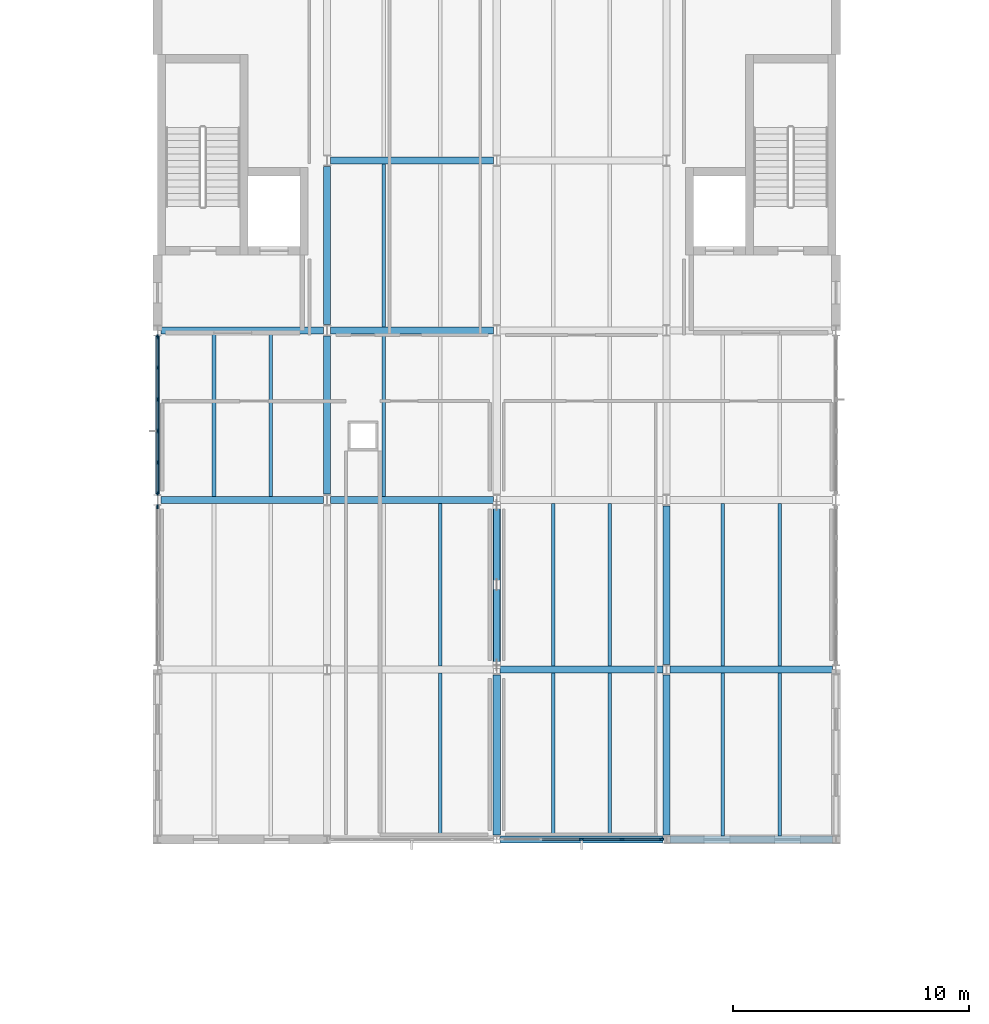
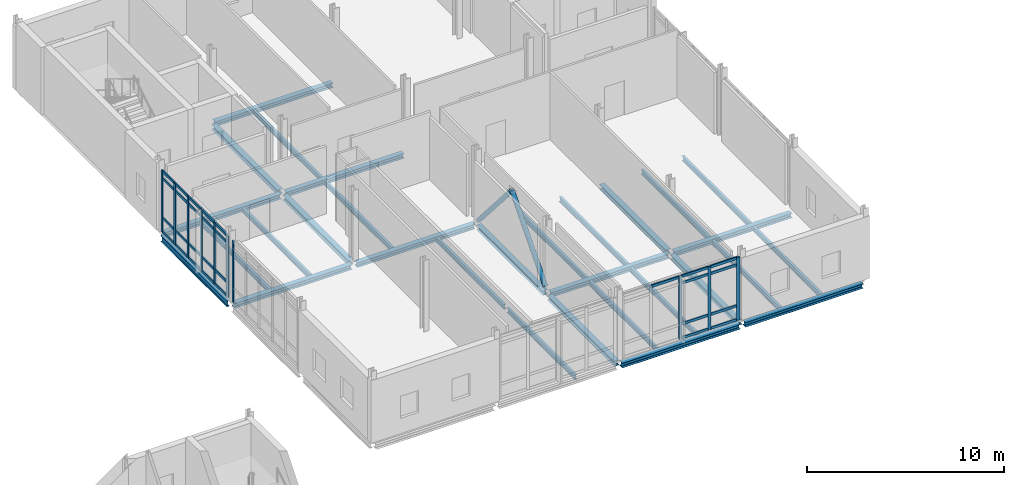
# One storey, part 28 of 76: 41 members, 30 beams, 3 elements without a shape of their own.
"""IFC4 building model written with IfcOpenShell, lengths in metres."""

import ifcopenshell
import ifcopenshell.guid

model = None  # the IFC model being written
_history = None  # IfcOwnerHistory: only IFC2X3 demands one
_inside = {}  # id of a spatial element -> (the spatial element, [elements in it])
_under = {}  # id of a project, library or spatial element -> (it, [spatial elements below it])
_declared = {}  # id of a project -> (the project, [libraries it declares])
_typed = {}  # id of a type object -> (the type object, [elements of that type])
_made_of = {}  # id of a material, layer set ... -> (it, [elements and type objects made of it])


def new_model(schema):
    """Start an empty IFC model of exactly this schema.

    Asked for "IFC4X3", IfcOpenShell would pick the latest addendum, in which some entities
    have other attributes; the version numbers below select the first issue.
    IFC2X3 requires an IfcOwnerHistory on every rooted entity: one is made here for all.
    """
    global model, _history
    if schema == "IFC4X3":
        model = ifcopenshell.file(schema_version=(4, 3, 0, 0))
    else:
        model = ifcopenshell.file(schema=schema)
    _inside.clear()
    _under.clear()
    _declared.clear()
    _typed.clear()
    _made_of.clear()
    _history = None
    if model.schema == "IFC2X3":
        org = make("IfcOrganization", Name="unknown")
        user = make(
            "IfcPersonAndOrganization",
            ThePerson=make("IfcPerson", FamilyName="unknown"),
            TheOrganization=org,
        )
        app = make(
            "IfcApplication",
            ApplicationDeveloper=org,
            Version="unknown",
            ApplicationFullName="unknown",
            ApplicationIdentifier="unknown",
        )
        _history = make(
            "IfcOwnerHistory",
            OwningUser=user,
            OwningApplication=app,
            ChangeAction="ADDED",
            CreationDate=0,
        )
    return model


def make(cls, **values):
    """One entity of the class cls with the attributes given. An attribute that is None is left unset."""
    return model.create_entity(
        cls, **{name: value for name, value in values.items() if value is not None}
    )


def rooted(cls, **values):
    """An entity with a GlobalId (a new one), such as an element, a storey or a relation."""
    return make(cls, GlobalId=ifcopenshell.guid.new(), OwnerHistory=_history, **values)


def si_unit(unit_type, name, prefix=None):
    """IfcSIUnit, for example si_unit("LENGTHUNIT", "METRE", prefix="MILLI")."""
    return make("IfcSIUnit", UnitType=unit_type, Prefix=prefix, Name=name)


def assignment(units):
    """IfcUnitAssignment: the units of a project."""
    return None if units is None else make("IfcUnitAssignment", Units=units)


def point(xyz):
    """IfcCartesianPoint."""
    return None if xyz is None else make("IfcCartesianPoint", Coordinates=xyz)


def direction(xyz):
    """IfcDirection."""
    return None if xyz is None else make("IfcDirection", DirectionRatios=xyz)


def frame(location, z_axis=None, x_axis=None):
    """IfcAxis2Placement3D, a coordinate frame: its origin and axes. An axis left out is left unset."""
    return make(
        "IfcAxis2Placement3D",
        Location=point(location),
        Axis=direction(z_axis),
        RefDirection=direction(x_axis),
    )


def frame_2d(location, x_axis=None):
    """IfcAxis2Placement2D, a coordinate frame in the plane: its origin and x axis."""
    return make(
        "IfcAxis2Placement2D", Location=point(location), RefDirection=direction(x_axis)
    )


def origin():
    """The frame at (0, 0, 0) with its axes left unset."""
    return frame((0.0, 0.0, 0.0))


def origin_2d():
    """The frame at (0, 0) in the plane with its x axis left unset."""
    return frame_2d((0.0, 0.0))


def place(relative_to, where):
    """IfcLocalPlacement: puts the frame where relative to a parent placement (None: the world)."""
    return make(
        "IfcLocalPlacement", PlacementRelTo=relative_to, RelativePlacement=where
    )


def context(
    kind, dimensions, precision=None, world=None, true_north=None, identifier=None
):
    """IfcGeometricRepresentationContext, for example the 3D "Model" context."""
    return make(
        "IfcGeometricRepresentationContext",
        ContextIdentifier=identifier,
        ContextType=kind,
        CoordinateSpaceDimension=dimensions,
        Precision=precision,
        WorldCoordinateSystem=world,
        TrueNorth=true_north,
    )


def subcontext(parent, identifier, kind, view, scale=None):
    """IfcGeometricRepresentationSubContext, for example "Body" below "Model"."""
    return make(
        "IfcGeometricRepresentationSubContext",
        ContextIdentifier=identifier,
        ContextType=kind,
        ParentContext=parent,
        TargetScale=scale,
        TargetView=view,
    )


def project(units=None, contexts=None):
    """IfcProject with its units and contexts."""
    return rooted(
        "IfcProject",
        Name="project",
        RepresentationContexts=contexts,
        UnitsInContext=assignment(units),
    )


def spatial(cls, under=None, at=None, **own):
    """A site, building, storey or space (cls), placed at a placement, below another one or the project."""
    s = rooted(cls, ObjectPlacement=at, **own)
    if under is not None:
        _under.setdefault(under.id(), (under, []))[1].append(s)
    return s


def profile(cls, at=None, kind="AREA", **sizes):
    """A parametric profile (cls). Its sizes go by their IFC names, for example OverallWidth=200.0."""
    return make(cls, ProfileType=kind, Position=at, **sizes)


def rectangle(**sizes):
    """IfcRectangleProfileDef."""
    return profile("IfcRectangleProfileDef", **sizes)


def hollow_circle(**sizes):
    """IfcCircleHollowProfileDef."""
    return profile("IfcCircleHollowProfileDef", **sizes)


def i_section(**sizes):
    """IfcIShapeProfileDef."""
    return profile("IfcIShapeProfileDef", **sizes)


def extrude(swept, where, along, depth):
    """IfcExtrudedAreaSolid: the profile swept, set in the frame where, extruded along a direction by depth."""
    return make(
        "IfcExtrudedAreaSolid",
        SweptArea=swept,
        Position=where,
        ExtrudedDirection=direction(along),
        Depth=depth,
    )


def shape(context_of_items, identifier, shape_type, items):
    """IfcShapeRepresentation: the items that make up one representation, for example the "Body"."""
    return make(
        "IfcShapeRepresentation",
        ContextOfItems=context_of_items,
        RepresentationIdentifier=identifier,
        RepresentationType=shape_type,
        Items=items,
    )


def material(Name=None, Category=None):
    """IfcMaterial."""
    return make("IfcMaterial", Name=Name, Category=Category)


def layer(
    of_material, thickness, ventilated=None, Name=None, Category=None, Priority=None
):
    """IfcMaterialLayer: one layer of a wall or slab, of a material (None: an air gap)."""
    return make(
        "IfcMaterialLayer",
        Material=of_material,
        LayerThickness=thickness,
        IsVentilated=ventilated,
        Name=Name,
        Category=Category,
        Priority=Priority,
    )


def layer_set(layers, Name=None):
    """IfcMaterialLayerSet."""
    return make("IfcMaterialLayerSet", MaterialLayers=layers, LayerSetName=Name)


def material_profile(
    of_material, cross_section, Name=None, Category=None, Priority=None
):
    """IfcMaterialProfile: a cross section and its material."""
    return make(
        "IfcMaterialProfile",
        Name=Name,
        Material=of_material,
        Profile=cross_section,
        Priority=Priority,
        Category=Category,
    )


def profile_set(profiles, Name=None, composite=None):
    """IfcMaterialProfileSet."""
    return make(
        "IfcMaterialProfileSet",
        Name=Name,
        MaterialProfiles=profiles,
        CompositeProfile=composite,
    )


def made_of(thing, what):
    """Note that an element or type object is made of a material, layer set ...; save() writes the relation."""
    if what is not None:
        _made_of.setdefault(what.id(), (what, []))[1].append(thing)
    return thing


def type_object(cls, material=None, **own):
    """A type object (cls), such as IfcWallType, which elements share."""
    return made_of(rooted(cls, **own), material)


def element(
    cls,
    number,
    at=None,
    inside=None,
    cuts=None,
    type_object=None,
    material=None,
    context=None,
    identifier="Body",
    shape_type=None,
    held_by="IfcProductDefinitionShape",
    body=None,
    shapes=None,
    **own,
):
    """One element of the class cls, such as IfcWall. Its Tag is "e" and its number.

    at: its placement. inside: the storey or other place that contains it. cuts: it is an
    opening in that element (IfcRelVoidsElement). A single representation is given by context,
    identifier, shape_type and body (its items); several are given by shapes. held_by: the class
    of the entity that holds the representations. save() writes the other relations.
    """
    e = rooted(cls, Tag="e%d" % number, ObjectPlacement=at, **own)
    if body is not None:
        shapes = [shape(context, identifier, shape_type, body)]
    if shapes is not None:
        e.Representation = make(held_by, Representations=shapes)
    if inside is not None:
        _inside.setdefault(inside.id(), (inside, []))[1].append(e)
    if cuts is not None:
        rooted(
            "IfcRelVoidsElement", RelatingBuildingElement=cuts, RelatedOpeningElement=e
        )
    if type_object is not None:
        _typed.setdefault(type_object.id(), (type_object, []))[1].append(e)
    return made_of(e, material)


def aggregate(whole, parts):
    """IfcRelAggregates: a whole, such as a stair, and the parts it consists of."""
    return rooted("IfcRelAggregates", RelatingObject=whole, RelatedObjects=parts)


def save(model, path):
    """Write the relations noted so far, then the file.

    IfcRelAggregates (storeys below a building ...), IfcRelContainedInSpatialStructure (elements
    in a storey), IfcRelDefinesByType, IfcRelAssociatesMaterial and IfcRelDeclares: one each for
    every whole, place, type object, material and project.
    """
    for whole, parts in _under.values():
        aggregate(whole, parts)
    for where, things in _inside.values():
        rooted(
            "IfcRelContainedInSpatialStructure",
            RelatedElements=things,
            RelatingStructure=where,
        )
    for kind, things in _typed.values():
        rooted("IfcRelDefinesByType", RelatedObjects=things, RelatingType=kind)
    for what, things in _made_of.values():
        rooted("IfcRelAssociatesMaterial", RelatedObjects=things, RelatingMaterial=what)
    for by, libraries in _declared.values():
        rooted("IfcRelDeclares", RelatingContext=by, RelatedDefinitions=libraries)
    model.write(path)


model = new_model("IFC4")

# Units and contexts
model_context = context("Model", 3, precision=1e-05, world=origin(), true_north=direction((0.0, 1.0)))
body_context = subcontext(model_context, "Body", "Model", "MODEL_VIEW")
ifc_project = project(units=[si_unit("LENGTHUNIT", "METRE"), si_unit("AREAUNIT", "SQUARE_METRE"), si_unit("VOLUMEUNIT", "CUBIC_METRE"), si_unit("PLANEANGLEUNIT", "RADIAN"), si_unit("MASSUNIT", "GRAM", prefix="KILO")], contexts=[model_context])

# Site, building, storey
site_placement = place(None, origin())
site = spatial("IfcSite", under=ifc_project, at=site_placement, CompositionType="ELEMENT")
building_placement = place(site_placement, origin())
building = spatial("IfcBuilding", under=site, at=building_placement, Name="Zarrinpeak Specialist Clinic", CompositionType="ELEMENT")
storey_placement = place(building_placement, frame((0.0, 0.0, 5.199951171875)))
storey = spatial("IfcBuildingStorey", under=building, at=storey_placement, Name="L01", CompositionType="ELEMENT", Elevation=5.199951171875)

# Beams
ifc_material_1 = material(Name="Steel S355", Category="steel")
ifc_material_profile_1 = material_profile(ifc_material_1, i_section(OverallWidth=0.300048828125, OverallDepth=0.2900390625, WebThickness=0.008544921875, FlangeThickness=0.013916015625, FilletRadius=0.027099609375, at=origin_2d()), Name="HEA 300")
ifc_profile_set_1 = profile_set([ifc_material_profile_1], Name="Steel S355")
beam_type_1 = type_object("IfcBeamType", Name="BM-HEA300", PredefinedType="BEAM", material=ifc_profile_set_1)
beam_1_placement = place(storey_placement, frame((50.548095703125, 82.0, -0.375), z_axis=(1.0, 0.0, 0.0), x_axis=(0.0, 1.0, 0.0)))
element("IfcBeam", 1, at=beam_1_placement, inside=storey, type_object=beam_type_1, Name="L01 Primary Floor Girder BM-L01-X0811", PredefinedType="BEAM", context=body_context, shape_type="SweptSolid", body=[
    extrude(i_section(OverallWidth=0.300048828125, OverallDepth=0.2900390625, WebThickness=0.008544921875, FlangeThickness=0.013916015625, FilletRadius=0.027099609375, at=origin_2d()), origin(), (0.0, 0.0, 1.0), 6.90380859375),
])
beam_2_placement = place(storey_placement, frame((57.748046875, 82.0, -0.375), z_axis=(1.0, 0.0, 0.0), x_axis=(0.0, 1.0, 0.0)))
element("IfcBeam", 2, at=beam_2_placement, inside=storey, type_object=beam_type_1, Name="L01 Primary Floor Girder BM-L01-X0812", PredefinedType="BEAM", context=body_context, shape_type="SweptSolid", body=[
    extrude(i_section(OverallWidth=0.300048828125, OverallDepth=0.2900390625, WebThickness=0.008544921875, FlangeThickness=0.013916015625, FilletRadius=0.027099609375, at=origin_2d()), origin(), (0.0, 0.0, 1.0), 6.904052734375),
])
beam_3_placement = place(storey_placement, frame((50.548095703125, 89.199951171875, -0.375), z_axis=(1.0, 0.0, 0.0), x_axis=(0.0, 1.0, 0.0)))
element("IfcBeam", 3, at=beam_3_placement, inside=storey, type_object=beam_type_1, Name="L01 Primary Floor Girder BM-L01-X0815", PredefinedType="BEAM", context=body_context, shape_type="SweptSolid", body=[
    extrude(i_section(OverallWidth=0.300048828125, OverallDepth=0.2900390625, WebThickness=0.008544921875, FlangeThickness=0.013916015625, FilletRadius=0.027099609375, at=origin_2d()), origin(), (0.0, 0.0, 1.0), 6.90380859375),
])
for number, where, z_axis, x_axis, name in (
    (4, (57.748046875, 89.199951171875, -0.375), (1.0, 0.0, 0.0), (0.0, 1.0, 0.0), "L01 Primary Floor Girder BM-L01-X0816"),
    (5, (36.14794921875, 96.39990234375, -0.375), (1.0, 0.0, 0.0), (0.0, 1.0, 0.0), "L01 Primary Floor Girder BM-L01-X0817"),
    (6, (43.347900390625, 96.39990234375, -0.375), (1.0, 0.0, 0.0), (0.0, 1.0, 0.0), "L01 Primary Floor Girder BM-L01-X0818"),
    (7, (36.14794921875, 103.60009765625, -0.375), (1.0, 0.0, 0.0), (0.0, 1.0, 0.0), "L01 Primary Floor Girder BM-L01-X0821"),
    (8, (43.347900390625, 103.60009765625, -0.375), (1.0, 0.0, 0.0), (0.0, 1.0, 0.0), "L01 Primary Floor Girder BM-L01-X0822"),
    (9, (43.347900390625, 110.800048828125, -0.375), (1.0, 0.0, 0.0), (0.0, 1.0, 0.0), "L01 Primary Floor Girder BM-L01-X0825"),
):
    element("IfcBeam", number, at=place(storey_placement, frame(where, z_axis=z_axis, x_axis=x_axis)), inside=storey, type_object=beam_type_1, Name=name, PredefinedType="BEAM", context=body_context, shape_type="SweptSolid", body=[
        extrude(i_section(OverallWidth=0.300048828125, OverallDepth=0.2900390625, WebThickness=0.008544921875, FlangeThickness=0.013916015625, FilletRadius=0.027099609375, at=origin_2d()), origin(), (0.0, 0.0, 1.0), 6.904052734375),
    ])
for number, where, z_axis, x_axis, name in (
    (10, (43.199951171875, 96.64794921875, -0.375), (0.0, 1.0, 0.0), (-1.0, 0.0, 0.0), "L01 Primary Beam BM-L01-Y0895"),
    (11, (43.199951171875, 103.847900390625, -0.375), (0.0, 1.0, 0.0), (-1.0, 0.0, 0.0), "L01 Primary Beam BM-L01-Y0896"),
):
    element("IfcBeam", number, at=place(storey_placement, frame(where, z_axis=z_axis, x_axis=x_axis)), inside=storey, type_object=beam_type_1, Name=name, PredefinedType="BEAM", context=body_context, shape_type="SweptSolid", body=[
        extrude(i_section(OverallWidth=0.300048828125, OverallDepth=0.2900390625, WebThickness=0.008544921875, FlangeThickness=0.013916015625, FilletRadius=0.027099609375, at=origin_2d()), origin(), (0.0, 0.0, 1.0), 6.7041015625),
    ])
beam_4_placement = place(storey_placement, frame((50.39990234375, 82.177978515625, -0.375), z_axis=(0.0, 1.0, 0.0), x_axis=(-1.0, 0.0, 0.0)))
element("IfcBeam", 12, at=beam_4_placement, inside=storey, type_object=beam_type_1, Name="L01 Primary Beam BM-L01-Y0902", PredefinedType="BEAM", context=body_context, shape_type="SweptSolid", body=[
    extrude(i_section(OverallWidth=0.300048828125, OverallDepth=0.2900390625, WebThickness=0.008544921875, FlangeThickness=0.013916015625, FilletRadius=0.027099609375, at=origin_2d()), origin(), (0.0, 0.0, 1.0), 6.799072265625),
])
beam_5_placement = place(storey_placement, frame((50.39990234375, 89.423095703125, -0.375), z_axis=(0.0, 1.0, 0.0), x_axis=(-1.0, 0.0, 0.0)))
element("IfcBeam", 13, at=beam_5_placement, inside=storey, type_object=beam_type_1, Name="L01 Primary Beam BM-L01-Y0903", PredefinedType="BEAM", context=body_context, shape_type="SweptSolid", body=[
    extrude(i_section(OverallWidth=0.300048828125, OverallDepth=0.2900390625, WebThickness=0.008544921875, FlangeThickness=0.013916015625, FilletRadius=0.027099609375, at=origin_2d()), origin(), (0.0, 0.0, 1.0), 6.72900390625),
])
beam_6_placement = place(storey_placement, frame((57.60009765625, 82.177978515625, -0.375), z_axis=(0.0, 1.0, 0.0), x_axis=(-1.0, 0.0, 0.0)))
element("IfcBeam", 14, at=beam_6_placement, inside=storey, type_object=beam_type_1, Name="L01 Primary Beam BM-L01-Y0909", PredefinedType="BEAM", context=body_context, shape_type="SweptSolid", body=[
    extrude(i_section(OverallWidth=0.300048828125, OverallDepth=0.2900390625, WebThickness=0.008544921875, FlangeThickness=0.013916015625, FilletRadius=0.027099609375, at=origin_2d()), origin(), (0.0, 0.0, 1.0), 6.799072265625),
])
beam_7_placement = place(storey_placement, frame((57.60009765625, 89.423095703125, -0.375), z_axis=(0.0, 1.0, 0.0), x_axis=(-1.0, 0.0, 0.0)))
element("IfcBeam", 15, at=beam_7_placement, inside=storey, type_object=beam_type_1, Name="L01 Primary Beam BM-L01-Y0910", PredefinedType="BEAM", context=body_context, shape_type="SweptSolid", body=[
    extrude(i_section(OverallWidth=0.300048828125, OverallDepth=0.2900390625, WebThickness=0.008544921875, FlangeThickness=0.013916015625, FilletRadius=0.027099609375, at=origin_2d()), origin(), (0.0, 0.0, 1.0), 6.72900390625),
])
ifc_material_profile_2 = material_profile(ifc_material_1, i_section(OverallWidth=0.14990234375, OverallDepth=0.300048828125, WebThickness=0.007080078125, FlangeThickness=0.0107421875, FilletRadius=0.014892578125, at=origin_2d()), Name="IPE 300")
ifc_profile_set_2 = profile_set([ifc_material_profile_2], Name="Steel S355")
beam_type_2 = type_object("IfcBeamType", Name="BM-JST300", PredefinedType="JOIST", material=ifc_profile_set_2)
for number, where, z_axis, x_axis, name in (
    (16, (38.39990234375, 96.548095703125, -0.3798828125), (0.0, 1.0, 0.0), (-1.0, 0.0, 0.0), "L01 Composite Floor Joist JST-L01-1080"),
    (17, (40.800048828125, 96.548095703125, -0.3798828125), (0.0, 1.0, 0.0), (-1.0, 0.0, 0.0), "L01 Composite Floor Joist JST-L01-1081"),
):
    element("IfcBeam", number, at=place(storey_placement, frame(where, z_axis=z_axis, x_axis=x_axis)), inside=storey, type_object=beam_type_2, Name=name, PredefinedType="JOIST", context=body_context, shape_type="SweptSolid", body=[
        extrude(i_section(OverallWidth=0.14990234375, OverallDepth=0.300048828125, WebThickness=0.007080078125, FlangeThickness=0.0107421875, FilletRadius=0.014892578125, at=origin_2d()), origin(), (0.0, 0.0, 1.0), 6.90380859375),
    ])
for number, where, z_axis, x_axis, name in (
    (18, (48.0, 82.14794921875, -0.3798828125), (0.0, 1.0, 0.0), (-1.0, 0.0, 0.0), "L01 Composite Floor Joist JST-L01-1083"),
    (19, (48.0, 89.347900390625, -0.3798828125), (0.0, 1.0, 0.0), (-1.0, 0.0, 0.0), "L01 Composite Floor Joist JST-L01-1085"),
):
    element("IfcBeam", number, at=place(storey_placement, frame(where, z_axis=z_axis, x_axis=x_axis)), inside=storey, type_object=beam_type_2, Name=name, PredefinedType="JOIST", context=body_context, shape_type="SweptSolid", body=[
        extrude(i_section(OverallWidth=0.14990234375, OverallDepth=0.300048828125, WebThickness=0.007080078125, FlangeThickness=0.0107421875, FilletRadius=0.014892578125, at=origin_2d()), origin(), (0.0, 0.0, 1.0), 6.904052734375),
    ])
beam_8_placement = place(storey_placement, frame((45.60009765625, 96.548095703125, -0.3798828125), z_axis=(0.0, 1.0, 0.0), x_axis=(-1.0, 0.0, 0.0)))
element("IfcBeam", 20, at=beam_8_placement, inside=storey, type_object=beam_type_2, Name="L01 Composite Floor Joist JST-L01-1086", PredefinedType="JOIST", context=body_context, shape_type="SweptSolid", body=[
    extrude(i_section(OverallWidth=0.14990234375, OverallDepth=0.300048828125, WebThickness=0.007080078125, FlangeThickness=0.0107421875, FilletRadius=0.014892578125, at=origin_2d()), origin(), (0.0, 0.0, 1.0), 6.90380859375),
])
for number, where, z_axis, x_axis, name in (
    (21, (45.60009765625, 103.748046875, -0.3798828125), (0.0, 1.0, 0.0), (-1.0, 0.0, 0.0), "L01 Composite Floor Joist JST-L01-1088"),
    (22, (52.800048828125, 82.14794921875, -0.3798828125), (0.0, 1.0, 0.0), (-1.0, 0.0, 0.0), "L01 Composite Floor Joist JST-L01-1092"),
    (23, (55.199951171875, 82.14794921875, -0.3798828125), (0.0, 1.0, 0.0), (-1.0, 0.0, 0.0), "L01 Composite Floor Joist JST-L01-1093"),
    (24, (52.800048828125, 89.347900390625, -0.3798828125), (0.0, 1.0, 0.0), (-1.0, 0.0, 0.0), "L01 Composite Floor Joist JST-L01-1094"),
    (25, (55.199951171875, 89.347900390625, -0.3798828125), (0.0, 1.0, 0.0), (-1.0, 0.0, 0.0), "L01 Composite Floor Joist JST-L01-1095"),
    (26, (60.0, 82.14794921875, -0.3798828125), (0.0, 1.0, 0.0), (-1.0, 0.0, 0.0), "L01 Composite Floor Joist JST-L01-1102"),
    (27, (62.39990234375, 82.14794921875, -0.3798828125), (0.0, 1.0, 0.0), (-1.0, 0.0, 0.0), "L01 Composite Floor Joist JST-L01-1103"),
    (28, (60.0, 89.347900390625, -0.3798828125), (0.0, 1.0, 0.0), (-1.0, 0.0, 0.0), "L01 Composite Floor Joist JST-L01-1104"),
    (29, (62.39990234375, 89.347900390625, -0.3798828125), (0.0, 1.0, 0.0), (-1.0, 0.0, 0.0), "L01 Composite Floor Joist JST-L01-1105"),
):
    element("IfcBeam", number, at=place(storey_placement, frame(where, z_axis=z_axis, x_axis=x_axis)), inside=storey, type_object=beam_type_2, Name=name, PredefinedType="JOIST", context=body_context, shape_type="SweptSolid", body=[
        extrude(i_section(OverallWidth=0.14990234375, OverallDepth=0.300048828125, WebThickness=0.007080078125, FlangeThickness=0.0107421875, FilletRadius=0.014892578125, at=origin_2d()), origin(), (0.0, 0.0, 1.0), 6.904052734375),
    ])
ifc_material_profile_3 = material_profile(ifc_material_1, i_section(OverallWidth=0.169921875, OverallDepth=0.360107421875, WebThickness=0.008056640625, FlangeThickness=0.0126953125, FilletRadius=0.01806640625, at=origin_2d()), Name="IPE 360")
ifc_profile_set_3 = profile_set([ifc_material_profile_3], Name="Steel S355")
beam_type_3 = type_object("IfcBeamType", Name="BM-SP360", PredefinedType="SPANDREL", material=ifc_profile_set_3)
beam_9_placement = place(storey_placement, frame((36.0, 96.64794921875, -0.409912109375), z_axis=(0.0, 1.0, 0.0), x_axis=(-1.0, 0.0, 0.0)))
element("IfcBeam", 30, at=beam_9_placement, inside=storey, type_object=beam_type_3, Name="L01 Perimeter Spandrel Beam BM-L01-Y0889", PredefinedType="SPANDREL", context=body_context, shape_type="SweptSolid", body=[
    extrude(i_section(OverallWidth=0.169921875, OverallDepth=0.360107421875, WebThickness=0.008056640625, FlangeThickness=0.0126953125, FilletRadius=0.01806640625, at=origin_2d()), origin(), (0.0, 0.0, 1.0), 6.7041015625),
])

# Curtain wall, members
ifc_material_2 = material(Name="Anodised Aluminium Alloy 6063-T6", Category="aluminium")
ifc_layer_1 = layer(ifc_material_2, 0.179931640625)
ifc_layer_set_1 = layer_set([ifc_layer_1], Name="Anodised Aluminium Alloy 6063-T6")
curtain_wall_type_1 = type_object("IfcCurtainWallType", Name="CW-COURT", PredefinedType="NOTDEFINED", material=ifc_layer_set_1)
curtain_wall_1_placement = place(storey_placement, origin())
curtain_wall_1 = element("IfcCurtainWall", 31, at=curtain_wall_1_placement, inside=storey, type_object=curtain_wall_type_1, Name="L01 V6 Unitised Curtain Wall CW-L01-V6-136", PredefinedType="NOTDEFINED")
ifc_material_profile_4 = material_profile(ifc_material_2, rectangle(XDim=0.074951171875, YDim=0.179931640625, at=origin_2d()), Name="ALU 75x180")
ifc_profile_set_4 = profile_set([ifc_material_profile_4], Name="Anodised Aluminium Alloy 6063-T6")
member_type_1 = type_object("IfcMemberType", Name="CWM-75", PredefinedType="MULLION", material=ifc_profile_set_4)
member_1_placement = place(storey_placement, frame((54.0, 82.0, 0.0), z_axis=(0.0, 0.0, 1.0), x_axis=(0.0, 1.0, 0.0)))
member_1 = element("IfcMember", 32, at=member_1_placement, type_object=member_type_1, Name="CW-01 mullion 3", PredefinedType="MULLION", context=body_context, shape_type="SweptSolid", body=[
    extrude(rectangle(XDim=0.074951171875, YDim=0.179931640625, at=origin_2d()), origin(), (0.0, 0.0, 1.0), 3.880126953125),
])
member_2_placement = place(storey_placement, frame((55.71240234375, 82.0, 0.0), z_axis=(0.0, 0.0, 1.0), x_axis=(0.0, 1.0, 0.0)))
member_2 = element("IfcMember", 33, at=member_2_placement, type_object=member_type_1, Name="CW-01 mullion 4", PredefinedType="MULLION", context=body_context, shape_type="SweptSolid", body=[
    extrude(rectangle(XDim=0.074951171875, YDim=0.179931640625, at=origin_2d()), origin(), (0.0, 0.0, 1.0), 3.880126953125),
])
member_3_placement = place(storey_placement, frame((57.387451171875, 82.0, 0.0), z_axis=(0.0, 0.0, 1.0), x_axis=(0.0, 1.0, 0.0)))
member_3 = element("IfcMember", 34, at=member_3_placement, type_object=member_type_1, Name="CW-01 mullion 5", PredefinedType="MULLION", context=body_context, shape_type="SweptSolid", body=[
    extrude(rectangle(XDim=0.074951171875, YDim=0.179931640625, at=origin_2d()), origin(), (0.0, 0.0, 1.0), 3.880126953125),
])

# Curtain wall, member
ifc_layer_2 = layer(ifc_material_2, 0.1650390625)
ifc_layer_set_2 = layer_set([ifc_layer_2], Name="Anodised Aluminium Alloy 6063-T6")
curtain_wall_type_2 = type_object("IfcCurtainWallType", Name="CW-CLINIC", PredefinedType="NOTDEFINED", material=ifc_layer_set_2)
curtain_wall_2_placement = place(storey_placement, origin())
curtain_wall_2 = element("IfcCurtainWall", 35, at=curtain_wall_2_placement, inside=storey, type_object=curtain_wall_type_2, Name="L01 V6 Unitised Curtain Wall CW-L01-V6-137", PredefinedType="NOTDEFINED")
member_4_placement = place(storey_placement, frame((36.0, 96.112548828125, 0.0), z_axis=(0.0, 0.0, 1.0), x_axis=(1.0, 0.0, 0.0)))
member_4 = element("IfcMember", 36, at=member_4_placement, type_object=member_type_1, Name="CW-03 mullion 1", PredefinedType="MULLION", context=body_context, shape_type="SweptSolid", body=[
    extrude(rectangle(XDim=0.074951171875, YDim=0.179931640625, at=origin_2d()), origin(), (0.0, 0.0, 1.0), 3.81005859375),
])
aggregate(curtain_wall_2, [member_4])

# Curtain wall, members
curtain_wall_3_placement = place(storey_placement, origin())
curtain_wall_3 = element("IfcCurtainWall", 37, at=curtain_wall_3_placement, inside=storey, type_object=curtain_wall_type_2, Name="L01 V6 Unitised Curtain Wall CW-L01-V6-138", PredefinedType="NOTDEFINED")
member_5_placement = place(storey_placement, frame((36.0, 103.3125, 0.0), z_axis=(0.0, 0.0, 1.0), x_axis=(1.0, 0.0, 0.0)))
member_5 = element("IfcMember", 38, at=member_5_placement, type_object=member_type_1, Name="CW-03 mullion 1", PredefinedType="MULLION", context=body_context, shape_type="SweptSolid", body=[
    extrude(rectangle(XDim=0.074951171875, YDim=0.179931640625, at=origin_2d()), origin(), (0.0, 0.0, 1.0), 3.81005859375),
])
member_6_placement = place(storey_placement, frame((36.0, 102.010009765625, 0.0), z_axis=(0.0, 0.0, 1.0), x_axis=(1.0, 0.0, 0.0)))
member_6 = element("IfcMember", 39, at=member_6_placement, type_object=member_type_1, Name="CW-03 mullion 2", PredefinedType="MULLION", context=body_context, shape_type="SweptSolid", body=[
    extrude(rectangle(XDim=0.074951171875, YDim=0.179931640625, at=origin_2d()), origin(), (0.0, 0.0, 1.0), 3.81005859375),
])
member_7_placement = place(storey_placement, frame((36.0, 100.669921875, 0.0), z_axis=(0.0, 0.0, 1.0), x_axis=(1.0, 0.0, 0.0)))
member_7 = element("IfcMember", 40, at=member_7_placement, type_object=member_type_1, Name="CW-03 mullion 3", PredefinedType="MULLION", context=body_context, shape_type="SweptSolid", body=[
    extrude(rectangle(XDim=0.074951171875, YDim=0.179931640625, at=origin_2d()), origin(), (0.0, 0.0, 1.0), 3.81005859375),
])
member_8_placement = place(storey_placement, frame((36.0, 99.330078125, 0.0), z_axis=(0.0, 0.0, 1.0), x_axis=(1.0, 0.0, 0.0)))
member_8 = element("IfcMember", 41, at=member_8_placement, type_object=member_type_1, Name="CW-03 mullion 4", PredefinedType="MULLION", context=body_context, shape_type="SweptSolid", body=[
    extrude(rectangle(XDim=0.074951171875, YDim=0.179931640625, at=origin_2d()), origin(), (0.0, 0.0, 1.0), 3.81005859375),
])
member_9_placement = place(storey_placement, frame((36.0, 97.989990234375, 0.0), z_axis=(0.0, 0.0, 1.0), x_axis=(1.0, 0.0, 0.0)))
member_9 = element("IfcMember", 42, at=member_9_placement, type_object=member_type_1, Name="CW-03 mullion 5", PredefinedType="MULLION", context=body_context, shape_type="SweptSolid", body=[
    extrude(rectangle(XDim=0.074951171875, YDim=0.179931640625, at=origin_2d()), origin(), (0.0, 0.0, 1.0), 3.81005859375),
])
member_10_placement = place(storey_placement, frame((36.0, 96.6875, 0.0), z_axis=(0.0, 0.0, 1.0), x_axis=(1.0, 0.0, 0.0)))
member_10 = element("IfcMember", 43, at=member_10_placement, type_object=member_type_1, Name="CW-03 mullion 6", PredefinedType="MULLION", context=body_context, shape_type="SweptSolid", body=[
    extrude(rectangle(XDim=0.074951171875, YDim=0.179931640625, at=origin_2d()), origin(), (0.0, 0.0, 1.0), 3.81005859375),
])

# Member
ifc_material_profile_5 = material_profile(ifc_material_2, rectangle(XDim=0.074951171875, YDim=0.159912109375, at=origin_2d()), Name="ALU 75x160")
ifc_profile_set_5 = profile_set([ifc_material_profile_5], Name="Anodised Aluminium Alloy 6063-T6")
member_type_2 = type_object("IfcMemberType", Name="CWT-75", PredefinedType="USERDEFINED", material=ifc_profile_set_5)
member_11_placement = place(storey_placement, frame((52.324951171875, 82.0, 3.842529296875), z_axis=(1.0, 0.0, 0.0), x_axis=(0.0, 1.0, 0.0)))
member_11 = element("IfcMember", 44, at=member_11_placement, type_object=member_type_2, Name="CW-01 transom 2.4", ObjectType="TRANSOM", PredefinedType="USERDEFINED", context=body_context, shape_type="SweptSolid", body=[
    extrude(rectangle(XDim=0.074951171875, YDim=0.159912109375, at=origin_2d()), origin(), (0.0, 0.0, 1.0), 1.637451171875),
])

member_12_placement = place(storey_placement, frame((54.03759765625, 82.0, 0.03759765625), z_axis=(1.0, 0.0, 0.0), x_axis=(0.0, 1.0, 0.0)))
member_12 = element("IfcMember", 45, at=member_12_placement, type_object=member_type_2, Name="CW-01 transom 3.1", ObjectType="TRANSOM", PredefinedType="USERDEFINED", context=body_context, shape_type="SweptSolid", body=[
    extrude(rectangle(XDim=0.074951171875, YDim=0.159912109375, at=origin_2d()), origin(), (0.0, 0.0, 1.0), 1.637451171875),
])

member_13_placement = place(storey_placement, frame((54.03759765625, 82.0, 0.900146484375), z_axis=(1.0, 0.0, 0.0), x_axis=(0.0, 1.0, 0.0)))
member_13 = element("IfcMember", 46, at=member_13_placement, type_object=member_type_2, Name="CW-01 transom 3.2", ObjectType="TRANSOM", PredefinedType="USERDEFINED", context=body_context, shape_type="SweptSolid", body=[
    extrude(rectangle(XDim=0.074951171875, YDim=0.159912109375, at=origin_2d()), origin(), (0.0, 0.0, 1.0), 1.637451171875),
])

member_14_placement = place(storey_placement, frame((54.03759765625, 82.0, 3.429931640625), z_axis=(1.0, 0.0, 0.0), x_axis=(0.0, 1.0, 0.0)))
member_14 = element("IfcMember", 47, at=member_14_placement, type_object=member_type_2, Name="CW-01 transom 3.3", ObjectType="TRANSOM", PredefinedType="USERDEFINED", context=body_context, shape_type="SweptSolid", body=[
    extrude(rectangle(XDim=0.074951171875, YDim=0.159912109375, at=origin_2d()), origin(), (0.0, 0.0, 1.0), 1.637451171875),
])

member_15_placement = place(storey_placement, frame((54.03759765625, 82.0, 3.842529296875), z_axis=(1.0, 0.0, 0.0), x_axis=(0.0, 1.0, 0.0)))
member_15 = element("IfcMember", 48, at=member_15_placement, type_object=member_type_2, Name="CW-01 transom 3.4", ObjectType="TRANSOM", PredefinedType="USERDEFINED", context=body_context, shape_type="SweptSolid", body=[
    extrude(rectangle(XDim=0.074951171875, YDim=0.159912109375, at=origin_2d()), origin(), (0.0, 0.0, 1.0), 1.637451171875),
])

member_16_placement = place(storey_placement, frame((55.75, 82.0, 0.03759765625), z_axis=(1.0, 0.0, 0.0), x_axis=(0.0, 1.0, 0.0)))
member_16 = element("IfcMember", 49, at=member_16_placement, type_object=member_type_2, Name="CW-01 transom 4.1", ObjectType="TRANSOM", PredefinedType="USERDEFINED", context=body_context, shape_type="SweptSolid", body=[
    extrude(rectangle(XDim=0.074951171875, YDim=0.159912109375, at=origin_2d()), origin(), (0.0, 0.0, 1.0), 1.60009765625),
])

member_17_placement = place(storey_placement, frame((55.75, 82.0, 0.900146484375), z_axis=(1.0, 0.0, 0.0), x_axis=(0.0, 1.0, 0.0)))
member_17 = element("IfcMember", 50, at=member_17_placement, type_object=member_type_2, Name="CW-01 transom 4.2", ObjectType="TRANSOM", PredefinedType="USERDEFINED", context=body_context, shape_type="SweptSolid", body=[
    extrude(rectangle(XDim=0.074951171875, YDim=0.159912109375, at=origin_2d()), origin(), (0.0, 0.0, 1.0), 1.60009765625),
])

member_18_placement = place(storey_placement, frame((55.75, 82.0, 3.429931640625), z_axis=(1.0, 0.0, 0.0), x_axis=(0.0, 1.0, 0.0)))
member_18 = element("IfcMember", 51, at=member_18_placement, type_object=member_type_2, Name="CW-01 transom 4.3", ObjectType="TRANSOM", PredefinedType="USERDEFINED", context=body_context, shape_type="SweptSolid", body=[
    extrude(rectangle(XDim=0.074951171875, YDim=0.159912109375, at=origin_2d()), origin(), (0.0, 0.0, 1.0), 1.60009765625),
])

member_19_placement = place(storey_placement, frame((55.75, 82.0, 3.842529296875), z_axis=(1.0, 0.0, 0.0), x_axis=(0.0, 1.0, 0.0)))
member_19 = element("IfcMember", 52, at=member_19_placement, type_object=member_type_2, Name="CW-01 transom 4.4", ObjectType="TRANSOM", PredefinedType="USERDEFINED", context=body_context, shape_type="SweptSolid", body=[
    extrude(rectangle(XDim=0.074951171875, YDim=0.159912109375, at=origin_2d()), origin(), (0.0, 0.0, 1.0), 1.60009765625),
])

aggregate(curtain_wall_1, [member_1, member_2, member_3, member_11, member_12, member_13, member_14, member_15, member_16, member_17, member_18, member_19])

member_20_placement = place(storey_placement, frame((36.0, 103.27490234375, 0.03759765625), z_axis=(0.0, -1.0, 0.0), x_axis=(1.0, 0.0, 0.0)))
member_20 = element("IfcMember", 53, at=member_20_placement, type_object=member_type_2, Name="CW-03 transom 1.1", ObjectType="TRANSOM", PredefinedType="USERDEFINED", context=body_context, shape_type="SweptSolid", body=[
    extrude(rectangle(XDim=0.074951171875, YDim=0.159912109375, at=origin_2d()), origin(), (0.0, 0.0, 1.0), 1.227294921875),
])

member_21_placement = place(storey_placement, frame((36.0, 103.27490234375, 0.900146484375), z_axis=(0.0, -1.0, 0.0), x_axis=(1.0, 0.0, 0.0)))
member_21 = element("IfcMember", 54, at=member_21_placement, type_object=member_type_2, Name="CW-03 transom 1.2", ObjectType="TRANSOM", PredefinedType="USERDEFINED", context=body_context, shape_type="SweptSolid", body=[
    extrude(rectangle(XDim=0.074951171875, YDim=0.159912109375, at=origin_2d()), origin(), (0.0, 0.0, 1.0), 1.227294921875),
])

member_22_placement = place(storey_placement, frame((36.0, 103.27490234375, 3.360107421875), z_axis=(0.0, -1.0, 0.0), x_axis=(1.0, 0.0, 0.0)))
member_22 = element("IfcMember", 55, at=member_22_placement, type_object=member_type_2, Name="CW-03 transom 1.3", ObjectType="TRANSOM", PredefinedType="USERDEFINED", context=body_context, shape_type="SweptSolid", body=[
    extrude(rectangle(XDim=0.074951171875, YDim=0.159912109375, at=origin_2d()), origin(), (0.0, 0.0, 1.0), 1.227294921875),
])

member_23_placement = place(storey_placement, frame((36.0, 103.27490234375, 3.7724609375), z_axis=(0.0, -1.0, 0.0), x_axis=(1.0, 0.0, 0.0)))
member_23 = element("IfcMember", 56, at=member_23_placement, type_object=member_type_2, Name="CW-03 transom 1.4", ObjectType="TRANSOM", PredefinedType="USERDEFINED", context=body_context, shape_type="SweptSolid", body=[
    extrude(rectangle(XDim=0.074951171875, YDim=0.159912109375, at=origin_2d()), origin(), (0.0, 0.0, 1.0), 1.227294921875),
])

member_24_placement = place(storey_placement, frame((36.0, 101.972412109375, 0.03759765625), z_axis=(0.0, -1.0, 0.0), x_axis=(1.0, 0.0, 0.0)))
member_24 = element("IfcMember", 57, at=member_24_placement, type_object=member_type_2, Name="CW-03 transom 2.1", ObjectType="TRANSOM", PredefinedType="USERDEFINED", context=body_context, shape_type="SweptSolid", body=[
    extrude(rectangle(XDim=0.074951171875, YDim=0.159912109375, at=origin_2d()), origin(), (0.0, 0.0, 1.0), 1.264892578125),
])

member_25_placement = place(storey_placement, frame((36.0, 101.972412109375, 0.900146484375), z_axis=(0.0, -1.0, 0.0), x_axis=(1.0, 0.0, 0.0)))
member_25 = element("IfcMember", 58, at=member_25_placement, type_object=member_type_2, Name="CW-03 transom 2.2", ObjectType="TRANSOM", PredefinedType="USERDEFINED", context=body_context, shape_type="SweptSolid", body=[
    extrude(rectangle(XDim=0.074951171875, YDim=0.159912109375, at=origin_2d()), origin(), (0.0, 0.0, 1.0), 1.264892578125),
])

member_26_placement = place(storey_placement, frame((36.0, 101.972412109375, 3.360107421875), z_axis=(0.0, -1.0, 0.0), x_axis=(1.0, 0.0, 0.0)))
member_26 = element("IfcMember", 59, at=member_26_placement, type_object=member_type_2, Name="CW-03 transom 2.3", ObjectType="TRANSOM", PredefinedType="USERDEFINED", context=body_context, shape_type="SweptSolid", body=[
    extrude(rectangle(XDim=0.074951171875, YDim=0.159912109375, at=origin_2d()), origin(), (0.0, 0.0, 1.0), 1.264892578125),
])

member_27_placement = place(storey_placement, frame((36.0, 101.972412109375, 3.7724609375), z_axis=(0.0, -1.0, 0.0), x_axis=(1.0, 0.0, 0.0)))
member_27 = element("IfcMember", 60, at=member_27_placement, type_object=member_type_2, Name="CW-03 transom 2.4", ObjectType="TRANSOM", PredefinedType="USERDEFINED", context=body_context, shape_type="SweptSolid", body=[
    extrude(rectangle(XDim=0.074951171875, YDim=0.159912109375, at=origin_2d()), origin(), (0.0, 0.0, 1.0), 1.264892578125),
])

member_28_placement = place(storey_placement, frame((36.0, 100.632568359375, 0.03759765625), z_axis=(0.0, -1.0, 0.0), x_axis=(1.0, 0.0, 0.0)))
member_28 = element("IfcMember", 61, at=member_28_placement, type_object=member_type_2, Name="CW-03 transom 3.1", ObjectType="TRANSOM", PredefinedType="USERDEFINED", context=body_context, shape_type="SweptSolid", body=[
    extrude(rectangle(XDim=0.074951171875, YDim=0.159912109375, at=origin_2d()), origin(), (0.0, 0.0, 1.0), 1.26513671875),
])

member_29_placement = place(storey_placement, frame((36.0, 100.632568359375, 0.900146484375), z_axis=(0.0, -1.0, 0.0), x_axis=(1.0, 0.0, 0.0)))
member_29 = element("IfcMember", 62, at=member_29_placement, type_object=member_type_2, Name="CW-03 transom 3.2", ObjectType="TRANSOM", PredefinedType="USERDEFINED", context=body_context, shape_type="SweptSolid", body=[
    extrude(rectangle(XDim=0.074951171875, YDim=0.159912109375, at=origin_2d()), origin(), (0.0, 0.0, 1.0), 1.26513671875),
])

member_30_placement = place(storey_placement, frame((36.0, 100.632568359375, 3.360107421875), z_axis=(0.0, -1.0, 0.0), x_axis=(1.0, 0.0, 0.0)))
member_30 = element("IfcMember", 63, at=member_30_placement, type_object=member_type_2, Name="CW-03 transom 3.3", ObjectType="TRANSOM", PredefinedType="USERDEFINED", context=body_context, shape_type="SweptSolid", body=[
    extrude(rectangle(XDim=0.074951171875, YDim=0.159912109375, at=origin_2d()), origin(), (0.0, 0.0, 1.0), 1.26513671875),
])

member_31_placement = place(storey_placement, frame((36.0, 100.632568359375, 3.7724609375), z_axis=(0.0, -1.0, 0.0), x_axis=(1.0, 0.0, 0.0)))
member_31 = element("IfcMember", 64, at=member_31_placement, type_object=member_type_2, Name="CW-03 transom 3.4", ObjectType="TRANSOM", PredefinedType="USERDEFINED", context=body_context, shape_type="SweptSolid", body=[
    extrude(rectangle(XDim=0.074951171875, YDim=0.159912109375, at=origin_2d()), origin(), (0.0, 0.0, 1.0), 1.26513671875),
])

member_32_placement = place(storey_placement, frame((36.0, 99.29248046875, 0.03759765625), z_axis=(0.0, -1.0, 0.0), x_axis=(1.0, 0.0, 0.0)))
member_32 = element("IfcMember", 65, at=member_32_placement, type_object=member_type_2, Name="CW-03 transom 4.1", ObjectType="TRANSOM", PredefinedType="USERDEFINED", context=body_context, shape_type="SweptSolid", body=[
    extrude(rectangle(XDim=0.074951171875, YDim=0.159912109375, at=origin_2d()), origin(), (0.0, 0.0, 1.0), 1.264892578125),
])

member_33_placement = place(storey_placement, frame((36.0, 99.29248046875, 0.900146484375), z_axis=(0.0, -1.0, 0.0), x_axis=(1.0, 0.0, 0.0)))
member_33 = element("IfcMember", 66, at=member_33_placement, type_object=member_type_2, Name="CW-03 transom 4.2", ObjectType="TRANSOM", PredefinedType="USERDEFINED", context=body_context, shape_type="SweptSolid", body=[
    extrude(rectangle(XDim=0.074951171875, YDim=0.159912109375, at=origin_2d()), origin(), (0.0, 0.0, 1.0), 1.264892578125),
])

member_34_placement = place(storey_placement, frame((36.0, 99.29248046875, 3.360107421875), z_axis=(0.0, -1.0, 0.0), x_axis=(1.0, 0.0, 0.0)))
member_34 = element("IfcMember", 67, at=member_34_placement, type_object=member_type_2, Name="CW-03 transom 4.3", ObjectType="TRANSOM", PredefinedType="USERDEFINED", context=body_context, shape_type="SweptSolid", body=[
    extrude(rectangle(XDim=0.074951171875, YDim=0.159912109375, at=origin_2d()), origin(), (0.0, 0.0, 1.0), 1.264892578125),
])

member_35_placement = place(storey_placement, frame((36.0, 99.29248046875, 3.7724609375), z_axis=(0.0, -1.0, 0.0), x_axis=(1.0, 0.0, 0.0)))
member_35 = element("IfcMember", 68, at=member_35_placement, type_object=member_type_2, Name="CW-03 transom 4.4", ObjectType="TRANSOM", PredefinedType="USERDEFINED", context=body_context, shape_type="SweptSolid", body=[
    extrude(rectangle(XDim=0.074951171875, YDim=0.159912109375, at=origin_2d()), origin(), (0.0, 0.0, 1.0), 1.264892578125),
])

member_36_placement = place(storey_placement, frame((36.0, 97.952392578125, 0.03759765625), z_axis=(0.0, -1.0, 0.0), x_axis=(1.0, 0.0, 0.0)))
member_36 = element("IfcMember", 69, at=member_36_placement, type_object=member_type_2, Name="CW-03 transom 5.1", ObjectType="TRANSOM", PredefinedType="USERDEFINED", context=body_context, shape_type="SweptSolid", body=[
    extrude(rectangle(XDim=0.074951171875, YDim=0.159912109375, at=origin_2d()), origin(), (0.0, 0.0, 1.0), 1.227294921875),
])

member_37_placement = place(storey_placement, frame((36.0, 97.952392578125, 0.900146484375), z_axis=(0.0, -1.0, 0.0), x_axis=(1.0, 0.0, 0.0)))
member_37 = element("IfcMember", 70, at=member_37_placement, type_object=member_type_2, Name="CW-03 transom 5.2", ObjectType="TRANSOM", PredefinedType="USERDEFINED", context=body_context, shape_type="SweptSolid", body=[
    extrude(rectangle(XDim=0.074951171875, YDim=0.159912109375, at=origin_2d()), origin(), (0.0, 0.0, 1.0), 1.227294921875),
])

member_38_placement = place(storey_placement, frame((36.0, 97.952392578125, 3.360107421875), z_axis=(0.0, -1.0, 0.0), x_axis=(1.0, 0.0, 0.0)))
member_38 = element("IfcMember", 71, at=member_38_placement, type_object=member_type_2, Name="CW-03 transom 5.3", ObjectType="TRANSOM", PredefinedType="USERDEFINED", context=body_context, shape_type="SweptSolid", body=[
    extrude(rectangle(XDim=0.074951171875, YDim=0.159912109375, at=origin_2d()), origin(), (0.0, 0.0, 1.0), 1.227294921875),
])

member_39_placement = place(storey_placement, frame((36.0, 97.952392578125, 3.7724609375), z_axis=(0.0, -1.0, 0.0), x_axis=(1.0, 0.0, 0.0)))
member_39 = element("IfcMember", 72, at=member_39_placement, type_object=member_type_2, Name="CW-03 transom 5.4", ObjectType="TRANSOM", PredefinedType="USERDEFINED", context=body_context, shape_type="SweptSolid", body=[
    extrude(rectangle(XDim=0.074951171875, YDim=0.159912109375, at=origin_2d()), origin(), (0.0, 0.0, 1.0), 1.227294921875),
])

aggregate(curtain_wall_3, [member_5, member_6, member_7, member_8, member_9, member_10, member_20, member_21, member_22, member_23, member_24, member_25, member_26, member_27, member_28, member_29, member_30, member_31, member_32, member_33, member_34, member_35, member_36, member_37, member_38, member_39])

# Members
ifc_material_profile_6 = material_profile(ifc_material_1, hollow_circle(Radius=0.136474609375, WallThickness=0.012451171875, at=origin_2d()), Name="CHS 273.0x12.5")
ifc_profile_set_6 = profile_set([ifc_material_profile_6], Name="Steel S355")
member_type_3 = type_object("IfcMemberType", Name="MB-BR273", PredefinedType="BRACE", material=ifc_profile_set_6)
member_40_placement = place(storey_placement, frame((50.39990234375, 89.39990234375, 0.005126953125), z_axis=(0.0, 0.658119791194, 0.752913235664), x_axis=(-1.0, 0.0, 0.0)))
element("IfcMember", 73, at=member_40_placement, inside=storey, type_object=member_type_3, Name="V6 L01 Seismic Concentric Brace CBF-045", PredefinedType="BRACE", context=body_context, shape_type="SweptSolid", body=[
    extrude(hollow_circle(Radius=0.136474609375, WallThickness=0.012451171875, at=origin_2d()), origin(), (0.0, 0.0, 1.0), 5.16650390625),
])
member_41_placement = place(storey_placement, frame((50.39990234375, 96.175048828125, 0.005126953125), z_axis=(0.0, -0.655347351174, 0.755327643681), x_axis=(1.0, 0.0, 0.0)))
element("IfcMember", 74, at=member_41_placement, inside=storey, type_object=member_type_3, Name="V6 L01 Seismic Concentric Brace CBF-046", PredefinedType="BRACE", context=body_context, shape_type="SweptSolid", body=[
    extrude(hollow_circle(Radius=0.136474609375, WallThickness=0.012451171875, at=origin_2d()), origin(), (0.0, 0.0, 1.0), 5.14990234375),
])

save(model, "model.ifc")
